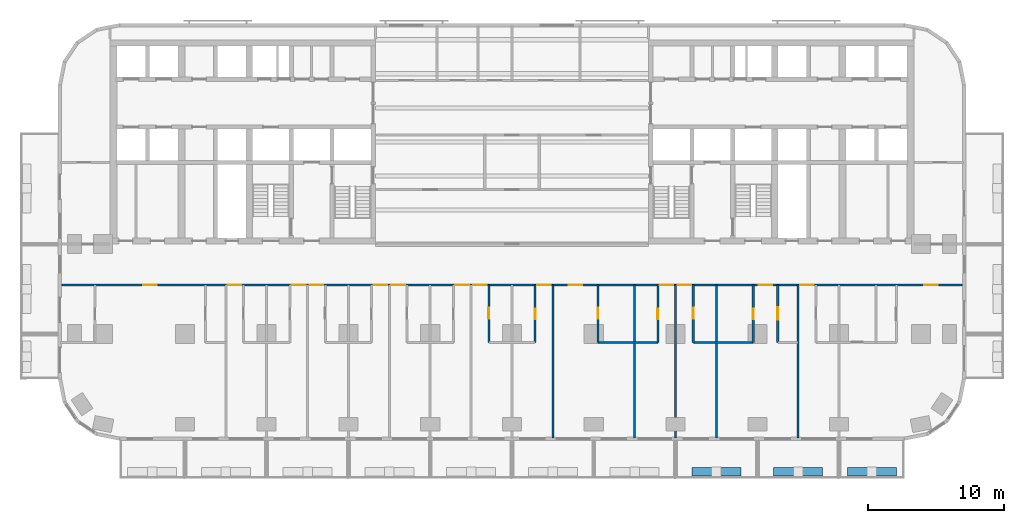
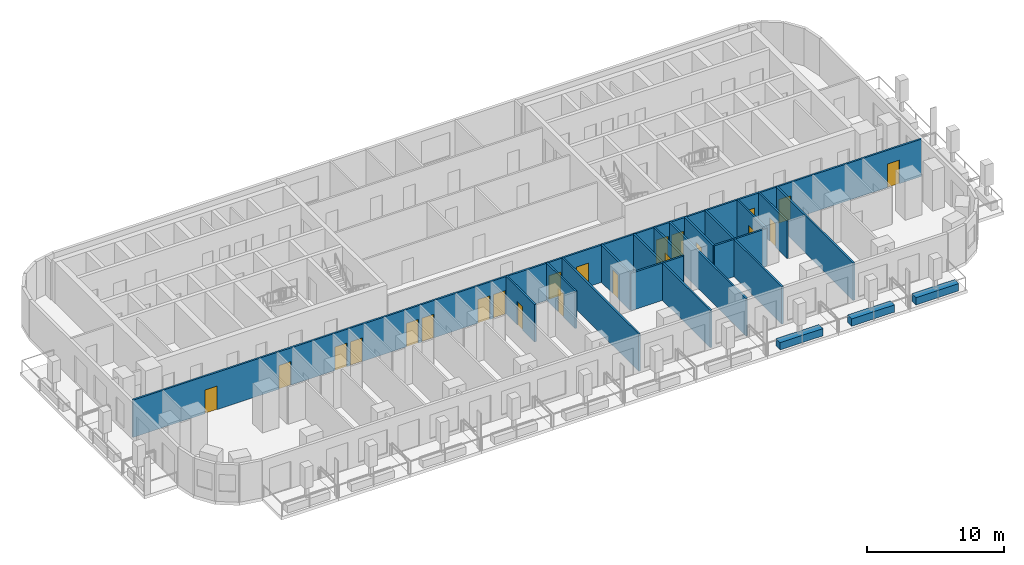
# One storey, part 5 of 14: 22 doors, 18 walls, 22 openings.
"""IFC4 building model written with IfcOpenShell, lengths in metres."""

from ifc_helpers import new_model, si_unit, direction, frame, frame_2d, origin, place, context, subcontext, project, spatial, rectangle, extrude, material, layer, layer_set, type_object, element, fill, save


model = new_model("IFC4")

# Units and contexts
model_context = context("Model", 3, precision=1e-05, world=origin(), true_north=direction((0.0, 1.0)))
body_context = subcontext(model_context, "Body", "Model", "MODEL_VIEW")
ifc_project = project(units=[si_unit("LENGTHUNIT", "METRE"), si_unit("AREAUNIT", "SQUARE_METRE"), si_unit("VOLUMEUNIT", "CUBIC_METRE"), si_unit("PLANEANGLEUNIT", "RADIAN"), si_unit("MASSUNIT", "GRAM", prefix="KILO")], contexts=[model_context])

# Site, building, storey
site_placement = place(None, origin())
site = spatial("IfcSite", under=ifc_project, at=site_placement, CompositionType="ELEMENT")
building_placement = place(site_placement, origin())
building = spatial("IfcBuilding", under=site, at=building_placement, Name="Torana Hotel and Residences", CompositionType="ELEMENT")
storey_placement = place(building_placement, frame((0.0, 0.0, 34.800048828125)))
storey = spatial("IfcBuildingStorey", under=building, at=storey_placement, Name="L07", CompositionType="ELEMENT", Elevation=34.800048828125)

# Wall, openings, doors
ifc_material_1 = material(Name="Gypsum plaster")
ifc_layer_1 = layer(ifc_material_1, 0.014892578125, Name="Plaster", Category="finish")
ifc_material_2 = material(Name="Concrete blockwork", Category="masonry")
ifc_layer_2 = layer(ifc_material_2, 0.1201171875, Name="Blockwork", Category="structure")
ifc_layer_3 = layer(ifc_material_1, 0.014892578125, Name="Plaster", Category="finish")
ifc_layer_set_1 = layer_set([ifc_layer_1, ifc_layer_2, ifc_layer_3], Name="FIRE PARTITION 150 BLOCKWORK")
wall_type_1 = type_object("IfcWallType", Name="FIRE PARTITION 150 BLOCKWORK", PredefinedType="PARTITIONING", material=ifc_layer_set_1)
wall_1_placement = place(storey_placement, frame((-33.1201171875, -18.0, 0.0), z_axis=(0.0, 0.0, 1.0), x_axis=(1.0, 0.0, 0.0)))
wall_1 = element("IfcWall", 1, at=wall_1_placement, inside=storey, type_object=wall_type_1, Name="Partition L07", PredefinedType="PARTITIONING", context=body_context, shape_type="SweptSolid", body=[
    extrude(rectangle(XDim=66.240234375, YDim=0.14990234375, at=frame_2d((33.1201171875, 0.0))), origin(), (0.0, 0.0, 1.0), 3.320068359375),
])
opening_1_placement = place(wall_1_placement, frame((12.27001953125, 0.0, 0.0)))
opening_1 = element("IfcOpeningElement", 2, at=opening_1_placement, cuts=wall_1, Name="Opening L07-38", PredefinedType="OPENING", context=body_context, shape_type="SweptSolid", body=[
    extrude(rectangle(XDim=1.0, YDim=2.10009765625, at=frame_2d((0.5, 1.050048828125))), frame((0.0, 0.0849609375, 0.0), z_axis=(0.0, -1.0, 0.0), x_axis=(1.0, 0.0, 0.0)), (0.0, 0.0, 1.0), 0.169921875),
])
opening_2_placement = place(wall_1_placement, frame((16.969970703125, 0.0, 0.0)))
opening_2 = element("IfcOpeningElement", 3, at=opening_2_placement, cuts=wall_1, Name="Opening L07-39", PredefinedType="OPENING", context=body_context, shape_type="SweptSolid", body=[
    extrude(rectangle(XDim=1.0, YDim=2.10009765625, at=frame_2d((0.5, 1.050048828125))), frame((0.0, 0.0849609375, 0.0), z_axis=(0.0, -1.0, 0.0), x_axis=(1.0, 0.0, 0.0)), (0.0, 0.0, 1.0), 0.169921875),
])
opening_3_placement = place(wall_1_placement, frame((18.27001953125, 0.0, 0.0)))
opening_3 = element("IfcOpeningElement", 4, at=opening_3_placement, cuts=wall_1, Name="Opening L07-40", PredefinedType="OPENING", context=body_context, shape_type="SweptSolid", body=[
    extrude(rectangle(XDim=1.0, YDim=2.10009765625, at=frame_2d((0.5, 1.050048828125))), frame((0.0, 0.0849609375, 0.0), z_axis=(0.0, -1.0, 0.0), x_axis=(1.0, 0.0, 0.0)), (0.0, 0.0, 1.0), 0.169921875),
])
opening_4_placement = place(wall_1_placement, frame((22.969970703125, 0.0, 0.0)))
opening_4 = element("IfcOpeningElement", 5, at=opening_4_placement, cuts=wall_1, Name="Opening L07-41", PredefinedType="OPENING", context=body_context, shape_type="SweptSolid", body=[
    extrude(rectangle(XDim=1.0, YDim=2.10009765625, at=frame_2d((0.5, 1.050048828125))), frame((0.0, 0.0849609375, 0.0), z_axis=(0.0, -1.0, 0.0), x_axis=(1.0, 0.0, 0.0)), (0.0, 0.0, 1.0), 0.169921875),
])
opening_5_placement = place(wall_1_placement, frame((24.27001953125, 0.0, 0.0)))
opening_5 = element("IfcOpeningElement", 6, at=opening_5_placement, cuts=wall_1, Name="Opening L07-42", PredefinedType="OPENING", context=body_context, shape_type="SweptSolid", body=[
    extrude(rectangle(XDim=1.0, YDim=2.10009765625, at=frame_2d((0.5, 1.050048828125))), frame((0.0, 0.0849609375, 0.0), z_axis=(0.0, -1.0, 0.0), x_axis=(1.0, 0.0, 0.0)), (0.0, 0.0, 1.0), 0.169921875),
])
opening_6_placement = place(wall_1_placement, frame((28.969970703125, 0.0, 0.0)))
opening_6 = element("IfcOpeningElement", 7, at=opening_6_placement, cuts=wall_1, Name="Opening L07-43", PredefinedType="OPENING", context=body_context, shape_type="SweptSolid", body=[
    extrude(rectangle(XDim=1.0, YDim=2.10009765625, at=frame_2d((0.5, 1.050048828125))), frame((0.0, 0.0849609375, 0.0), z_axis=(0.0, -1.0, 0.0), x_axis=(1.0, 0.0, 0.0)), (0.0, 0.0, 1.0), 0.169921875),
])
opening_7_placement = place(wall_1_placement, frame((30.27001953125, 0.0, 0.0)))
opening_7 = element("IfcOpeningElement", 8, at=opening_7_placement, cuts=wall_1, Name="Opening L07-44", PredefinedType="OPENING", context=body_context, shape_type="SweptSolid", body=[
    extrude(rectangle(XDim=1.0, YDim=2.10009765625, at=frame_2d((0.5, 1.050048828125))), frame((0.0, 0.0849609375, 0.0), z_axis=(0.0, -1.0, 0.0), x_axis=(1.0, 0.0, 0.0)), (0.0, 0.0, 1.0), 0.169921875),
])
opening_8_placement = place(wall_1_placement, frame((34.969970703125, 0.0, 0.0)))
opening_8 = element("IfcOpeningElement", 9, at=opening_8_placement, cuts=wall_1, Name="Opening L07-45", PredefinedType="OPENING", context=body_context, shape_type="SweptSolid", body=[
    extrude(rectangle(XDim=1.0, YDim=2.10009765625, at=frame_2d((0.5, 1.050048828125))), frame((0.0, 0.0849609375, 0.0), z_axis=(0.0, -1.0, 0.0), x_axis=(1.0, 0.0, 0.0)), (0.0, 0.0, 1.0), 0.169921875),
])
opening_9_placement = place(wall_1_placement, frame((37.27001953125, 0.0, 0.0)))
opening_9 = element("IfcOpeningElement", 10, at=opening_9_placement, cuts=wall_1, Name="Opening L07-46", PredefinedType="OPENING", context=body_context, shape_type="SweptSolid", body=[
    extrude(rectangle(XDim=1.0, YDim=2.10009765625, at=frame_2d((0.5, 1.050048828125))), frame((0.0, 0.0849609375, 0.0), z_axis=(0.0, -1.0, 0.0), x_axis=(1.0, 0.0, 0.0)), (0.0, 0.0, 1.0), 0.169921875),
])
opening_10_placement = place(wall_1_placement, frame((43.969970703125, 0.0, 0.0)))
opening_10 = element("IfcOpeningElement", 11, at=opening_10_placement, cuts=wall_1, Name="Opening L07-47", PredefinedType="OPENING", context=body_context, shape_type="SweptSolid", body=[
    extrude(rectangle(XDim=1.0, YDim=2.10009765625, at=frame_2d((0.5, 1.050048828125))), frame((0.0, 0.0849609375, 0.0), z_axis=(0.0, -1.0, 0.0), x_axis=(1.0, 0.0, 0.0)), (0.0, 0.0, 1.0), 0.169921875),
])
opening_11_placement = place(wall_1_placement, frame((45.27001953125, 0.0, 0.0)))
opening_11 = element("IfcOpeningElement", 12, at=opening_11_placement, cuts=wall_1, Name="Opening L07-48", PredefinedType="OPENING", context=body_context, shape_type="SweptSolid", body=[
    extrude(rectangle(XDim=1.0, YDim=2.10009765625, at=frame_2d((0.5, 1.050048828125))), frame((0.0, 0.0849609375, 0.0), z_axis=(0.0, -1.0, 0.0), x_axis=(1.0, 0.0, 0.0)), (0.0, 0.0, 1.0), 0.169921875),
])
opening_12_placement = place(wall_1_placement, frame((51.219970703125, 0.0, 0.0)))
opening_12 = element("IfcOpeningElement", 13, at=opening_12_placement, cuts=wall_1, Name="Opening L07-49", PredefinedType="OPENING", context=body_context, shape_type="SweptSolid", body=[
    extrude(rectangle(XDim=1.0, YDim=2.10009765625, at=frame_2d((0.5, 1.050048828125))), frame((0.0, 0.0849609375, 0.0), z_axis=(0.0, -1.0, 0.0), x_axis=(1.0, 0.0, 0.0)), (0.0, 0.0, 1.0), 0.169921875),
])
opening_13_placement = place(wall_1_placement, frame((54.27001953125, 0.0, 0.0)))
opening_13 = element("IfcOpeningElement", 14, at=opening_13_placement, cuts=wall_1, Name="Opening L07-50", PredefinedType="OPENING", context=body_context, shape_type="SweptSolid", body=[
    extrude(rectangle(XDim=1.0, YDim=2.10009765625, at=frame_2d((0.5, 1.050048828125))), frame((0.0, 0.0849609375, 0.0), z_axis=(0.0, -1.0, 0.0), x_axis=(1.0, 0.0, 0.0)), (0.0, 0.0, 1.0), 0.169921875),
])
opening_14_placement = place(wall_1_placement, frame((6.070068359375, 0.0, 0.0)))
opening_14 = element("IfcOpeningElement", 15, at=opening_14_placement, cuts=wall_1, Name="Opening L07-51", PredefinedType="OPENING", context=body_context, shape_type="SweptSolid", body=[
    extrude(rectangle(XDim=1.0, YDim=2.10009765625, at=frame_2d((0.5, 1.050048828125))), frame((0.0, 0.0849609375, 0.0), z_axis=(0.0, -1.0, 0.0), x_axis=(1.0, 0.0, 0.0)), (0.0, 0.0, 1.0), 0.169921875),
])
opening_15_placement = place(wall_1_placement, frame((63.3701171875, 0.0, 0.0)))
opening_15 = element("IfcOpeningElement", 16, at=opening_15_placement, cuts=wall_1, Name="Opening L07-52", PredefinedType="OPENING", context=body_context, shape_type="SweptSolid", body=[
    extrude(rectangle(XDim=1.0, YDim=2.10009765625, at=frame_2d((0.5, 1.050048828125))), frame((0.0, 0.0849609375, 0.0), z_axis=(0.0, -1.0, 0.0), x_axis=(1.0, 0.0, 0.0)), (0.0, 0.0, 1.0), 0.169921875),
])
ifc_material_3 = material(Name="Steel S235", Category="steel")
door_type_1 = type_object("IfcDoorType", Name="ENTRY FIRE DOOR D6 1000x2100", OperationType="SINGLE_SWING_LEFT", PredefinedType="DOOR", material=ifc_material_3)
door_1_placement = place(opening_1_placement, frame((0.5, 0.0, 0.0), z_axis=(0.0, 0.0, 1.0), x_axis=(-1.0, 0.0, 0.0)))
door_1 = element("IfcDoor", 17, at=door_1_placement, inside=storey, type_object=door_type_1, Name="Door L07", OperationType="SINGLE_SWING_LEFT", OverallHeight=2.10009765625, OverallWidth=1.0, PredefinedType="DOOR", context=body_context, shape_type="SweptSolid", body=[
    extrude(rectangle(XDim=1.0, YDim=2.10009765625, at=frame_2d((0.0, 1.050048828125))), frame((0.0, -0.02490234375, 0.0), z_axis=(0.0, 1.0, 0.0), x_axis=(-1.0, 0.0, 0.0)), (0.0, 0.0, 1.0), 0.050048828125),
])
fill(opening_1, door_1)
door_2_placement = place(opening_2_placement, frame((0.5, 0.0, 0.0), z_axis=(0.0, 0.0, 1.0), x_axis=(-1.0, 0.0, 0.0)))
door_2 = element("IfcDoor", 18, at=door_2_placement, inside=storey, type_object=door_type_1, Name="Door L07", OperationType="SINGLE_SWING_LEFT", OverallHeight=2.10009765625, OverallWidth=1.0, PredefinedType="DOOR", context=body_context, shape_type="SweptSolid", body=[
    extrude(rectangle(XDim=1.0, YDim=2.10009765625, at=frame_2d((0.0, 1.050048828125))), frame((0.0, -0.02490234375, 0.0), z_axis=(0.0, 1.0, 0.0), x_axis=(-1.0, 0.0, 0.0)), (0.0, 0.0, 1.0), 0.050048828125),
])
fill(opening_2, door_2)
door_3_placement = place(opening_3_placement, frame((0.5, 0.0, 0.0), z_axis=(0.0, 0.0, 1.0), x_axis=(-1.0, 0.0, 0.0)))
door_3 = element("IfcDoor", 19, at=door_3_placement, inside=storey, type_object=door_type_1, Name="Door L07", OperationType="SINGLE_SWING_LEFT", OverallHeight=2.10009765625, OverallWidth=1.0, PredefinedType="DOOR", context=body_context, shape_type="SweptSolid", body=[
    extrude(rectangle(XDim=1.0, YDim=2.10009765625, at=frame_2d((0.0, 1.050048828125))), frame((0.0, -0.02490234375, 0.0), z_axis=(0.0, 1.0, 0.0), x_axis=(-1.0, 0.0, 0.0)), (0.0, 0.0, 1.0), 0.050048828125),
])
fill(opening_3, door_3)
door_4_placement = place(opening_4_placement, frame((0.5, 0.0, 0.0), z_axis=(0.0, 0.0, 1.0), x_axis=(-1.0, 0.0, 0.0)))
door_4 = element("IfcDoor", 20, at=door_4_placement, inside=storey, type_object=door_type_1, Name="Door L07", OperationType="SINGLE_SWING_LEFT", OverallHeight=2.10009765625, OverallWidth=1.0, PredefinedType="DOOR", context=body_context, shape_type="SweptSolid", body=[
    extrude(rectangle(XDim=1.0, YDim=2.10009765625, at=frame_2d((0.0, 1.050048828125))), frame((0.0, -0.02490234375, 0.0), z_axis=(0.0, 1.0, 0.0), x_axis=(-1.0, 0.0, 0.0)), (0.0, 0.0, 1.0), 0.050048828125),
])
fill(opening_4, door_4)
door_5_placement = place(opening_5_placement, frame((0.5, 0.0, 0.0), z_axis=(0.0, 0.0, 1.0), x_axis=(-1.0, 0.0, 0.0)))
door_5 = element("IfcDoor", 21, at=door_5_placement, inside=storey, type_object=door_type_1, Name="Door L07", OperationType="SINGLE_SWING_LEFT", OverallHeight=2.10009765625, OverallWidth=1.0, PredefinedType="DOOR", context=body_context, shape_type="SweptSolid", body=[
    extrude(rectangle(XDim=1.0, YDim=2.10009765625, at=frame_2d((0.0, 1.050048828125))), frame((0.0, -0.02490234375, 0.0), z_axis=(0.0, 1.0, 0.0), x_axis=(-1.0, 0.0, 0.0)), (0.0, 0.0, 1.0), 0.050048828125),
])
fill(opening_5, door_5)
door_6_placement = place(opening_6_placement, frame((0.5, 0.0, 0.0), z_axis=(0.0, 0.0, 1.0), x_axis=(-1.0, 0.0, 0.0)))
door_6 = element("IfcDoor", 22, at=door_6_placement, inside=storey, type_object=door_type_1, Name="Door L07", OperationType="SINGLE_SWING_LEFT", OverallHeight=2.10009765625, OverallWidth=1.0, PredefinedType="DOOR", context=body_context, shape_type="SweptSolid", body=[
    extrude(rectangle(XDim=1.0, YDim=2.10009765625, at=frame_2d((0.0, 1.050048828125))), frame((0.0, -0.02490234375, 0.0), z_axis=(0.0, 1.0, 0.0), x_axis=(-1.0, 0.0, 0.0)), (0.0, 0.0, 1.0), 0.050048828125),
])
fill(opening_6, door_6)
door_7_placement = place(opening_7_placement, frame((0.5, 0.0, 0.0), z_axis=(0.0, 0.0, 1.0), x_axis=(-1.0, 0.0, 0.0)))
door_7 = element("IfcDoor", 23, at=door_7_placement, inside=storey, type_object=door_type_1, Name="Door L07", OperationType="SINGLE_SWING_LEFT", OverallHeight=2.10009765625, OverallWidth=1.0, PredefinedType="DOOR", context=body_context, shape_type="SweptSolid", body=[
    extrude(rectangle(XDim=1.0, YDim=2.10009765625, at=frame_2d((0.0, 1.050048828125))), frame((0.0, -0.02490234375, 0.0), z_axis=(0.0, 1.0, 0.0), x_axis=(-1.0, 0.0, 0.0)), (0.0, 0.0, 1.0), 0.050048828125),
])
fill(opening_7, door_7)
door_8_placement = place(opening_8_placement, frame((0.5, 0.0, 0.0), z_axis=(0.0, 0.0, 1.0), x_axis=(-1.0, 0.0, 0.0)))
door_8 = element("IfcDoor", 24, at=door_8_placement, inside=storey, type_object=door_type_1, Name="Door L07", OperationType="SINGLE_SWING_LEFT", OverallHeight=2.10009765625, OverallWidth=1.0, PredefinedType="DOOR", context=body_context, shape_type="SweptSolid", body=[
    extrude(rectangle(XDim=1.0, YDim=2.10009765625, at=frame_2d((0.0, 1.050048828125))), frame((0.0, -0.02490234375, 0.0), z_axis=(0.0, 1.0, 0.0), x_axis=(-1.0, 0.0, 0.0)), (0.0, 0.0, 1.0), 0.050048828125),
])
fill(opening_8, door_8)
door_9_placement = place(opening_9_placement, frame((0.5, 0.0, 0.0), z_axis=(0.0, 0.0, 1.0), x_axis=(-1.0, 0.0, 0.0)))
door_9 = element("IfcDoor", 25, at=door_9_placement, inside=storey, type_object=door_type_1, Name="Door L07", OperationType="SINGLE_SWING_LEFT", OverallHeight=2.10009765625, OverallWidth=1.0, PredefinedType="DOOR", context=body_context, shape_type="SweptSolid", body=[
    extrude(rectangle(XDim=1.0, YDim=2.10009765625, at=frame_2d((0.0, 1.050048828125))), frame((0.0, -0.02490234375, 0.0), z_axis=(0.0, 1.0, 0.0), x_axis=(-1.0, 0.0, 0.0)), (0.0, 0.0, 1.0), 0.050048828125),
])
fill(opening_9, door_9)
door_10_placement = place(opening_10_placement, frame((0.5, 0.0, 0.0), z_axis=(0.0, 0.0, 1.0), x_axis=(-1.0, 0.0, 0.0)))
door_10 = element("IfcDoor", 26, at=door_10_placement, inside=storey, type_object=door_type_1, Name="Door L07", OperationType="SINGLE_SWING_LEFT", OverallHeight=2.10009765625, OverallWidth=1.0, PredefinedType="DOOR", context=body_context, shape_type="SweptSolid", body=[
    extrude(rectangle(XDim=1.0, YDim=2.10009765625, at=frame_2d((0.0, 1.050048828125))), frame((0.0, -0.02490234375, 0.0), z_axis=(0.0, 1.0, 0.0), x_axis=(-1.0, 0.0, 0.0)), (0.0, 0.0, 1.0), 0.050048828125),
])
fill(opening_10, door_10)
door_11_placement = place(opening_11_placement, frame((0.5, 0.0, 0.0), z_axis=(0.0, 0.0, 1.0), x_axis=(-1.0, 0.0, 0.0)))
door_11 = element("IfcDoor", 27, at=door_11_placement, inside=storey, type_object=door_type_1, Name="Door L07", OperationType="SINGLE_SWING_LEFT", OverallHeight=2.10009765625, OverallWidth=1.0, PredefinedType="DOOR", context=body_context, shape_type="SweptSolid", body=[
    extrude(rectangle(XDim=1.0, YDim=2.10009765625, at=frame_2d((0.0, 1.050048828125))), frame((0.0, -0.02490234375, 0.0), z_axis=(0.0, 1.0, 0.0), x_axis=(-1.0, 0.0, 0.0)), (0.0, 0.0, 1.0), 0.050048828125),
])
fill(opening_11, door_11)
door_12_placement = place(opening_12_placement, frame((0.5, 0.0, 0.0), z_axis=(0.0, 0.0, 1.0), x_axis=(-1.0, 0.0, 0.0)))
door_12 = element("IfcDoor", 28, at=door_12_placement, inside=storey, type_object=door_type_1, Name="Door L07", OperationType="SINGLE_SWING_LEFT", OverallHeight=2.10009765625, OverallWidth=1.0, PredefinedType="DOOR", context=body_context, shape_type="SweptSolid", body=[
    extrude(rectangle(XDim=1.0, YDim=2.10009765625, at=frame_2d((0.0, 1.050048828125))), frame((0.0, -0.02490234375, 0.0), z_axis=(0.0, 1.0, 0.0), x_axis=(-1.0, 0.0, 0.0)), (0.0, 0.0, 1.0), 0.050048828125),
])
fill(opening_12, door_12)
door_13_placement = place(opening_13_placement, frame((0.5, 0.0, 0.0), z_axis=(0.0, 0.0, 1.0), x_axis=(-1.0, 0.0, 0.0)))
door_13 = element("IfcDoor", 29, at=door_13_placement, inside=storey, type_object=door_type_1, Name="Door L07", OperationType="SINGLE_SWING_LEFT", OverallHeight=2.10009765625, OverallWidth=1.0, PredefinedType="DOOR", context=body_context, shape_type="SweptSolid", body=[
    extrude(rectangle(XDim=1.0, YDim=2.10009765625, at=frame_2d((0.0, 1.050048828125))), frame((0.0, -0.02490234375, 0.0), z_axis=(0.0, 1.0, 0.0), x_axis=(-1.0, 0.0, 0.0)), (0.0, 0.0, 1.0), 0.050048828125),
])
fill(opening_13, door_13)
door_14_placement = place(opening_14_placement, frame((0.5, 0.0, 0.0), z_axis=(0.0, 0.0, 1.0), x_axis=(-1.0, 0.0, 0.0)))
door_14 = element("IfcDoor", 30, at=door_14_placement, inside=storey, type_object=door_type_1, Name="Door L07", OperationType="SINGLE_SWING_LEFT", OverallHeight=2.10009765625, OverallWidth=1.0, PredefinedType="DOOR", context=body_context, shape_type="SweptSolid", body=[
    extrude(rectangle(XDim=1.0, YDim=2.10009765625, at=frame_2d((0.0, 1.050048828125))), frame((0.0, -0.02490234375, 0.0), z_axis=(0.0, 1.0, 0.0), x_axis=(-1.0, 0.0, 0.0)), (0.0, 0.0, 1.0), 0.050048828125),
])
fill(opening_14, door_14)
door_15_placement = place(opening_15_placement, frame((0.5, 0.0, 0.0), z_axis=(0.0, 0.0, 1.0), x_axis=(-1.0, 0.0, 0.0)))
door_15 = element("IfcDoor", 31, at=door_15_placement, inside=storey, type_object=door_type_1, Name="Door L07", OperationType="SINGLE_SWING_LEFT", OverallHeight=2.10009765625, OverallWidth=1.0, PredefinedType="DOOR", context=body_context, shape_type="SweptSolid", body=[
    extrude(rectangle(XDim=1.0, YDim=2.10009765625, at=frame_2d((0.0, 1.050048828125))), frame((0.0, -0.02490234375, 0.0), z_axis=(0.0, 1.0, 0.0), x_axis=(-1.0, 0.0, 0.0)), (0.0, 0.0, 1.0), 0.050048828125),
])
fill(opening_15, door_15)

# Wall
ifc_material_4 = material(Name="Gypsum plasterboard")
ifc_layer_4 = layer(ifc_material_4, 0.012451171875, Name="Plasterboard", Category="finish")
ifc_layer_5 = layer(ifc_material_4, 0.012451171875, Name="Plasterboard", Category="finish")
ifc_material_5 = material(Name="Steel S280GD", Category="steel")
ifc_layer_6 = layer(ifc_material_5, 0.10009765625, Name="Steel studs with mineral wool", Category="insulation")
ifc_layer_7 = layer(ifc_material_4, 0.012451171875, Name="Plasterboard", Category="finish")
ifc_layer_8 = layer(ifc_material_4, 0.012451171875, Name="Plasterboard", Category="finish")
ifc_layer_set_2 = layer_set([ifc_layer_4, ifc_layer_5, ifc_layer_6, ifc_layer_7, ifc_layer_8], Name="PARTITION 150 PLASTERBOARD")
wall_type_2 = type_object("IfcWallType", Name="PARTITION 150 PLASTERBOARD", PredefinedType="PARTITIONING", material=ifc_layer_set_2)
wall_2_placement = place(storey_placement, frame((21.0, -29.219970703125, 0.0), z_axis=(0.0, 0.0, 1.0), x_axis=(0.0, 1.0, 0.0)))
element("IfcWall", 32, at=wall_2_placement, inside=storey, type_object=wall_type_2, Name="Partition L07", PredefinedType="PARTITIONING", context=body_context, shape_type="SweptSolid", body=[
    extrude(rectangle(XDim=11.219970703125, YDim=0.14990234375, at=frame_2d((5.60986328125, 0.0))), origin(), (0.0, 0.0, 1.0), 3.320068359375),
])

# Wall, opening, door
wall_3_placement = place(storey_placement, frame((19.5, -22.199951171875, 0.0), z_axis=(0.0, 0.0, 1.0), x_axis=(0.0, 1.0, 0.0)))
wall_3 = element("IfcWall", 33, at=wall_3_placement, inside=storey, type_object=wall_type_2, Name="Partition L07", PredefinedType="PARTITIONING", context=body_context, shape_type="SweptSolid", body=[
    extrude(rectangle(XDim=4.199951171875, YDim=0.14990234375, at=frame_2d((2.10009765625, 0.0))), origin(), (0.0, 0.0, 1.0), 3.320068359375),
])
opening_16_placement = place(wall_3_placement, frame((1.669921875, 0.0, 0.0)))
opening_16 = element("IfcOpeningElement", 34, at=opening_16_placement, cuts=wall_3, Name="Opening L07-76", PredefinedType="OPENING", context=body_context, shape_type="SweptSolid", body=[
    extrude(rectangle(XDim=0.89990234375, YDim=2.10009765625, at=frame_2d((0.449951171875, 1.050048828125))), frame((0.0, 0.0849609375, 0.0), z_axis=(0.0, -1.0, 0.0), x_axis=(1.0, 0.0, 0.0)), (0.0, 0.0, 1.0), 0.169921875),
])
ifc_material_6 = material(Name="Timber door, oiled ash", Category="wood")
door_type_2 = type_object("IfcDoorType", Name="ROOM DOOR D7 900x2100", OperationType="SINGLE_SWING_LEFT", PredefinedType="DOOR", material=ifc_material_6)
door_16_placement = place(opening_16_placement, origin())
door_16 = element("IfcDoor", 35, at=door_16_placement, inside=storey, type_object=door_type_2, Name="Door L07", OperationType="SINGLE_SWING_RIGHT", OverallHeight=2.10009765625, OverallWidth=0.89990234375, PredefinedType="DOOR", context=body_context, shape_type="SweptSolid", body=[
    extrude(rectangle(XDim=0.89990234375, YDim=2.10009765625, at=frame_2d((0.449951171875, 1.050048828125))), frame((0.0, 0.02490234375, 0.0), z_axis=(0.0, -1.0, 0.0), x_axis=(1.0, 0.0, 0.0)), (0.0, 0.0, 1.0), 0.050048828125),
])
fill(opening_16, door_16)

wall_4_placement = place(storey_placement, frame((17.699951171875, -22.199951171875, 0.0), z_axis=(0.0, 0.0, 1.0), x_axis=(0.0, 1.0, 0.0)))
wall_4 = element("IfcWall", 36, at=wall_4_placement, inside=storey, type_object=wall_type_2, Name="Partition L07", PredefinedType="PARTITIONING", context=body_context, shape_type="SweptSolid", body=[
    extrude(rectangle(XDim=4.199951171875, YDim=0.14990234375, at=frame_2d((2.10009765625, 0.0))), origin(), (0.0, 0.0, 1.0), 3.320068359375),
])
opening_17_placement = place(wall_4_placement, frame((1.679931640625, 0.0, 0.0)))
opening_17 = element("IfcOpeningElement", 37, at=opening_17_placement, cuts=wall_4, Name="Opening L07-75", PredefinedType="OPENING", context=body_context, shape_type="SweptSolid", body=[
    extrude(rectangle(XDim=0.800048828125, YDim=2.10009765625, at=frame_2d((0.39990234375, 1.050048828125))), frame((0.0, 0.0849609375, 0.0), z_axis=(0.0, -1.0, 0.0), x_axis=(1.0, 0.0, 0.0)), (0.0, 0.0, 1.0), 0.169921875),
])
ifc_material_7 = material(Name="Timber door, painted", Category="wood")
door_type_3 = type_object("IfcDoorType", Name="BATH DOOR D13 800x2100", OperationType="SINGLE_SWING_LEFT", PredefinedType="DOOR", material=ifc_material_7)
door_17_placement = place(opening_17_placement, origin())
door_17 = element("IfcDoor", 38, at=door_17_placement, inside=storey, type_object=door_type_3, Name="Door L07", OperationType="SINGLE_SWING_RIGHT", OverallHeight=2.10009765625, OverallWidth=0.800048828125, PredefinedType="DOOR", context=body_context, shape_type="SweptSolid", body=[
    extrude(rectangle(XDim=0.800048828125, YDim=2.10009765625, at=frame_2d((0.39990234375, 1.050048828125))), frame((0.0, 0.02490234375, 0.0), z_axis=(0.0, -1.0, 0.0), x_axis=(1.0, 0.0, 0.0)), (0.0, 0.0, 1.0), 0.050048828125),
])
fill(opening_17, door_17)

# Wall
wall_5_placement = place(storey_placement, frame((15.0, -29.219970703125, 0.0), z_axis=(0.0, 0.0, 1.0), x_axis=(0.0, 1.0, 0.0)))
element("IfcWall", 39, at=wall_5_placement, inside=storey, type_object=wall_type_2, Name="Partition L07", PredefinedType="PARTITIONING", context=body_context, shape_type="SweptSolid", body=[
    extrude(rectangle(XDim=11.219970703125, YDim=0.14990234375, at=frame_2d((5.60986328125, 0.0))), origin(), (0.0, 0.0, 1.0), 3.320068359375),
])

# Wall, opening, door
wall_6_placement = place(storey_placement, frame((13.300048828125, -22.199951171875, 0.0), z_axis=(0.0, 0.0, 1.0), x_axis=(0.0, 1.0, 0.0)))
wall_6 = element("IfcWall", 40, at=wall_6_placement, inside=storey, type_object=wall_type_2, Name="Partition L07", PredefinedType="PARTITIONING", context=body_context, shape_type="SweptSolid", body=[
    extrude(rectangle(XDim=4.199951171875, YDim=0.14990234375, at=frame_2d((2.10009765625, 0.0))), origin(), (0.0, 0.0, 1.0), 3.320068359375),
])
opening_18_placement = place(wall_6_placement, frame((1.719970703125, 0.0, 0.0)))
opening_18 = element("IfcOpeningElement", 41, at=opening_18_placement, cuts=wall_6, Name="Opening L07-74", PredefinedType="OPENING", context=body_context, shape_type="SweptSolid", body=[
    extrude(rectangle(XDim=0.800048828125, YDim=2.10009765625, at=frame_2d((0.39990234375, 1.050048828125))), frame((0.0, 0.0849609375, 0.0), z_axis=(0.0, -1.0, 0.0), x_axis=(1.0, 0.0, 0.0)), (0.0, 0.0, 1.0), 0.169921875),
])
door_18_placement = place(opening_18_placement, origin())
door_18 = element("IfcDoor", 42, at=door_18_placement, inside=storey, type_object=door_type_3, Name="Door L07", OperationType="SINGLE_SWING_RIGHT", OverallHeight=2.10009765625, OverallWidth=0.800048828125, PredefinedType="DOOR", context=body_context, shape_type="SweptSolid", body=[
    extrude(rectangle(XDim=0.800048828125, YDim=2.10009765625, at=frame_2d((0.39990234375, 1.050048828125))), frame((0.0, 0.02490234375, 0.0), z_axis=(0.0, -1.0, 0.0), x_axis=(1.0, 0.0, 0.0)), (0.0, 0.0, 1.0), 0.050048828125),
])
fill(opening_18, door_18)

# Wall
wall_7_placement = place(storey_placement, frame((12.0, -29.219970703125, 0.0), z_axis=(0.0, 0.0, 1.0), x_axis=(0.0, 1.0, 0.0)))
element("IfcWall", 43, at=wall_7_placement, inside=storey, type_object=wall_type_2, Name="Partition L07", PredefinedType="PARTITIONING", context=body_context, shape_type="SweptSolid", body=[
    extrude(rectangle(XDim=11.219970703125, YDim=0.14990234375, at=frame_2d((5.60986328125, 0.0))), origin(), (0.0, 0.0, 1.0), 3.320068359375),
])

# Wall, opening, door
wall_8_placement = place(storey_placement, frame((10.699951171875, -22.199951171875, 0.0), z_axis=(0.0, 0.0, 1.0), x_axis=(0.0, 1.0, 0.0)))
wall_8 = element("IfcWall", 44, at=wall_8_placement, inside=storey, type_object=wall_type_2, Name="Partition L07", PredefinedType="PARTITIONING", context=body_context, shape_type="SweptSolid", body=[
    extrude(rectangle(XDim=4.199951171875, YDim=0.14990234375, at=frame_2d((2.10009765625, 0.0))), origin(), (0.0, 0.0, 1.0), 3.320068359375),
])
opening_19_placement = place(wall_8_placement, frame((1.679931640625, 0.0, 0.0)))
opening_19 = element("IfcOpeningElement", 45, at=opening_19_placement, cuts=wall_8, Name="Opening L07-73", PredefinedType="OPENING", context=body_context, shape_type="SweptSolid", body=[
    extrude(rectangle(XDim=0.800048828125, YDim=2.10009765625, at=frame_2d((0.39990234375, 1.050048828125))), frame((0.0, 0.0849609375, 0.0), z_axis=(0.0, -1.0, 0.0), x_axis=(1.0, 0.0, 0.0)), (0.0, 0.0, 1.0), 0.169921875),
])
door_19_placement = place(opening_19_placement, origin())
door_19 = element("IfcDoor", 46, at=door_19_placement, inside=storey, type_object=door_type_3, Name="Door L07", OperationType="SINGLE_SWING_RIGHT", OverallHeight=2.10009765625, OverallWidth=0.800048828125, PredefinedType="DOOR", context=body_context, shape_type="SweptSolid", body=[
    extrude(rectangle(XDim=0.800048828125, YDim=2.10009765625, at=frame_2d((0.39990234375, 1.050048828125))), frame((0.0, 0.02490234375, 0.0), z_axis=(0.0, -1.0, 0.0), x_axis=(1.0, 0.0, 0.0)), (0.0, 0.0, 1.0), 0.050048828125),
])
fill(opening_19, door_19)

# Wall
wall_9_placement = place(storey_placement, frame((9.0, -29.219970703125, 0.0), z_axis=(0.0, 0.0, 1.0), x_axis=(0.0, 1.0, 0.0)))
element("IfcWall", 47, at=wall_9_placement, inside=storey, type_object=wall_type_2, Name="Partition L07", PredefinedType="PARTITIONING", context=body_context, shape_type="SweptSolid", body=[
    extrude(rectangle(XDim=11.219970703125, YDim=0.14990234375, at=frame_2d((5.60986328125, 0.0))), origin(), (0.0, 0.0, 1.0), 3.320068359375),
])

# Wall, opening, door
wall_10_placement = place(storey_placement, frame((6.300048828125, -22.199951171875, 0.0), z_axis=(0.0, 0.0, 1.0), x_axis=(0.0, 1.0, 0.0)))
wall_10 = element("IfcWall", 48, at=wall_10_placement, inside=storey, type_object=wall_type_2, Name="Partition L07", PredefinedType="PARTITIONING", context=body_context, shape_type="SweptSolid", body=[
    extrude(rectangle(XDim=4.199951171875, YDim=0.14990234375, at=frame_2d((2.10009765625, 0.0))), origin(), (0.0, 0.0, 1.0), 3.320068359375),
])
opening_20_placement = place(wall_10_placement, frame((1.719970703125, 0.0, 0.0)))
opening_20 = element("IfcOpeningElement", 49, at=opening_20_placement, cuts=wall_10, Name="Opening L07-72", PredefinedType="OPENING", context=body_context, shape_type="SweptSolid", body=[
    extrude(rectangle(XDim=0.800048828125, YDim=2.10009765625, at=frame_2d((0.39990234375, 1.050048828125))), frame((0.0, 0.0849609375, 0.0), z_axis=(0.0, -1.0, 0.0), x_axis=(1.0, 0.0, 0.0)), (0.0, 0.0, 1.0), 0.169921875),
])
door_20_placement = place(opening_20_placement, origin())
door_20 = element("IfcDoor", 50, at=door_20_placement, inside=storey, type_object=door_type_3, Name="Door L07", OperationType="SINGLE_SWING_RIGHT", OverallHeight=2.10009765625, OverallWidth=0.800048828125, PredefinedType="DOOR", context=body_context, shape_type="SweptSolid", body=[
    extrude(rectangle(XDim=0.800048828125, YDim=2.10009765625, at=frame_2d((0.39990234375, 1.050048828125))), frame((0.0, 0.02490234375, 0.0), z_axis=(0.0, -1.0, 0.0), x_axis=(1.0, 0.0, 0.0)), (0.0, 0.0, 1.0), 0.050048828125),
])
fill(opening_20, door_20)

# Wall
wall_11_placement = place(storey_placement, frame((3.0, -29.219970703125, 0.0), z_axis=(0.0, 0.0, 1.0), x_axis=(0.0, 1.0, 0.0)))
element("IfcWall", 51, at=wall_11_placement, inside=storey, type_object=wall_type_2, Name="Partition L07", PredefinedType="PARTITIONING", context=body_context, shape_type="SweptSolid", body=[
    extrude(rectangle(XDim=11.219970703125, YDim=0.14990234375, at=frame_2d((5.60986328125, 0.0))), origin(), (0.0, 0.0, 1.0), 3.320068359375),
])

# Wall, opening, door
wall_12_placement = place(storey_placement, frame((1.699951171875, -22.199951171875, 0.0), z_axis=(0.0, 0.0, 1.0), x_axis=(0.0, 1.0, 0.0)))
wall_12 = element("IfcWall", 52, at=wall_12_placement, inside=storey, type_object=wall_type_2, Name="Partition L07", PredefinedType="PARTITIONING", context=body_context, shape_type="SweptSolid", body=[
    extrude(rectangle(XDim=4.199951171875, YDim=0.14990234375, at=frame_2d((2.10009765625, 0.0))), origin(), (0.0, 0.0, 1.0), 3.320068359375),
])
opening_21_placement = place(wall_12_placement, frame((1.679931640625, 0.0, 0.0)))
opening_21 = element("IfcOpeningElement", 53, at=opening_21_placement, cuts=wall_12, Name="Opening L07-71", PredefinedType="OPENING", context=body_context, shape_type="SweptSolid", body=[
    extrude(rectangle(XDim=0.800048828125, YDim=2.10009765625, at=frame_2d((0.39990234375, 1.050048828125))), frame((0.0, 0.0849609375, 0.0), z_axis=(0.0, -1.0, 0.0), x_axis=(1.0, 0.0, 0.0)), (0.0, 0.0, 1.0), 0.169921875),
])
door_21_placement = place(opening_21_placement, origin())
door_21 = element("IfcDoor", 54, at=door_21_placement, inside=storey, type_object=door_type_3, Name="Door L07", OperationType="SINGLE_SWING_RIGHT", OverallHeight=2.10009765625, OverallWidth=0.800048828125, PredefinedType="DOOR", context=body_context, shape_type="SweptSolid", body=[
    extrude(rectangle(XDim=0.800048828125, YDim=2.10009765625, at=frame_2d((0.39990234375, 1.050048828125))), frame((0.0, 0.02490234375, 0.0), z_axis=(0.0, -1.0, 0.0), x_axis=(1.0, 0.0, 0.0)), (0.0, 0.0, 1.0), 0.050048828125),
])
fill(opening_21, door_21)

wall_13_placement = place(storey_placement, frame((-1.699951171875, -22.199951171875, 0.0), z_axis=(0.0, 0.0, 1.0), x_axis=(0.0, 1.0, 0.0)))
wall_13 = element("IfcWall", 55, at=wall_13_placement, inside=storey, type_object=wall_type_2, Name="Partition L07", PredefinedType="PARTITIONING", context=body_context, shape_type="SweptSolid", body=[
    extrude(rectangle(XDim=4.199951171875, YDim=0.14990234375, at=frame_2d((2.10009765625, 0.0))), origin(), (0.0, 0.0, 1.0), 3.320068359375),
])
opening_22_placement = place(wall_13_placement, frame((1.719970703125, 0.0, 0.0)))
opening_22 = element("IfcOpeningElement", 56, at=opening_22_placement, cuts=wall_13, Name="Opening L07-70", PredefinedType="OPENING", context=body_context, shape_type="SweptSolid", body=[
    extrude(rectangle(XDim=0.800048828125, YDim=2.10009765625, at=frame_2d((0.39990234375, 1.050048828125))), frame((0.0, 0.0849609375, 0.0), z_axis=(0.0, -1.0, 0.0), x_axis=(1.0, 0.0, 0.0)), (0.0, 0.0, 1.0), 0.169921875),
])
door_22_placement = place(opening_22_placement, origin())
door_22 = element("IfcDoor", 57, at=door_22_placement, inside=storey, type_object=door_type_3, Name="Door L07", OperationType="SINGLE_SWING_RIGHT", OverallHeight=2.10009765625, OverallWidth=0.800048828125, PredefinedType="DOOR", context=body_context, shape_type="SweptSolid", body=[
    extrude(rectangle(XDim=0.800048828125, YDim=2.10009765625, at=frame_2d((0.39990234375, 1.050048828125))), frame((0.0, 0.02490234375, 0.0), z_axis=(0.0, -1.0, 0.0), x_axis=(1.0, 0.0, 0.0)), (0.0, 0.0, 1.0), 0.050048828125),
])
fill(opening_22, door_22)

# Walls
for number, where, z_axis, x_axis, name in (
    (58, (6.300048828125, -22.199951171875, 0.0), (0.0, 0.0, 1.0), (1.0, 0.0, 0.0), "Partition L07"),
    (59, (13.300048828125, -22.199951171875, 0.0), (0.0, 0.0, 1.0), (1.0, 0.0, 0.0), "Partition L07"),
):
    element("IfcWall", number, at=place(storey_placement, frame(where, z_axis=z_axis, x_axis=x_axis)), inside=storey, type_object=wall_type_2, Name=name, PredefinedType="PARTITIONING", context=body_context, shape_type="SweptSolid", body=[
        extrude(rectangle(XDim=4.39990234375, YDim=0.14990234375, at=frame_2d((2.199951171875, 0.0))), origin(), (0.0, 0.0, 1.0), 3.320068359375),
    ])
ifc_material_8 = material(Name="Concrete C40/50 precast", Category="concrete")
ifc_layer_9 = layer(ifc_material_8, 0.10009765625, Name="Planter shell", Category="structure")
ifc_material_9 = material(Name="Root resistant membrane")
ifc_layer_10 = layer(ifc_material_9, 0.00390625, Name="Waterproofing membrane", Category="membrane")
ifc_material_10 = material(Name="Drainage board with filter fleece")
ifc_layer_11 = layer(ifc_material_10, 0.02001953125, Name="Drainage board", Category="drainage")
ifc_material_11 = material(Name="Growing medium")
ifc_layer_12 = layer(ifc_material_11, 0.47607421875, Name="Planting substrate", Category="soil")
ifc_layer_set_3 = layer_set([ifc_layer_9, ifc_layer_10, ifc_layer_11, ifc_layer_12], Name="PL1 BALCONY PLANTER 600")
wall_type_3 = type_object("IfcWallType", Name="PL1 BALCONY PLANTER 600", PredefinedType="USERDEFINED", material=ifc_layer_set_3)
for number, where, z_axis, x_axis, name in (
    (60, (16.800048828125, -31.699951171875, 0.0), (0.0, 0.0, 1.0), (-1.0, 0.0, 0.0), "Planter 08"),
    (61, (22.800048828125, -31.699951171875, 0.0), (0.0, 0.0, 1.0), (-1.0, 0.0, 0.0), "Planter 09"),
):
    element("IfcWall", number, at=place(storey_placement, frame(where, z_axis=z_axis, x_axis=x_axis)), inside=storey, type_object=wall_type_3, Name=name, ObjectType="PLANTER", PredefinedType="USERDEFINED", context=body_context, shape_type="SweptSolid", body=[
        extrude(rectangle(XDim=3.60009765625, YDim=0.60009765625, at=frame_2d((1.800048828125, 0.0))), origin(), (0.0, 0.0, 1.0), 0.64990234375),
    ])
wall_14_placement = place(storey_placement, frame((28.199951171875, -31.699951171875, 0.0), z_axis=(0.0, 0.0, 1.0), x_axis=(-1.0, 0.0, 0.0)))
element("IfcWall", 62, at=wall_14_placement, inside=storey, type_object=wall_type_3, Name="Planter 10", ObjectType="PLANTER", PredefinedType="USERDEFINED", context=body_context, shape_type="SweptSolid", body=[
    extrude(rectangle(XDim=3.599853515625, YDim=0.60009765625, at=frame_2d((1.7998046875, 0.0))), origin(), (0.0, 0.0, 1.0), 0.64990234375),
])

save(model, "model.ifc")
